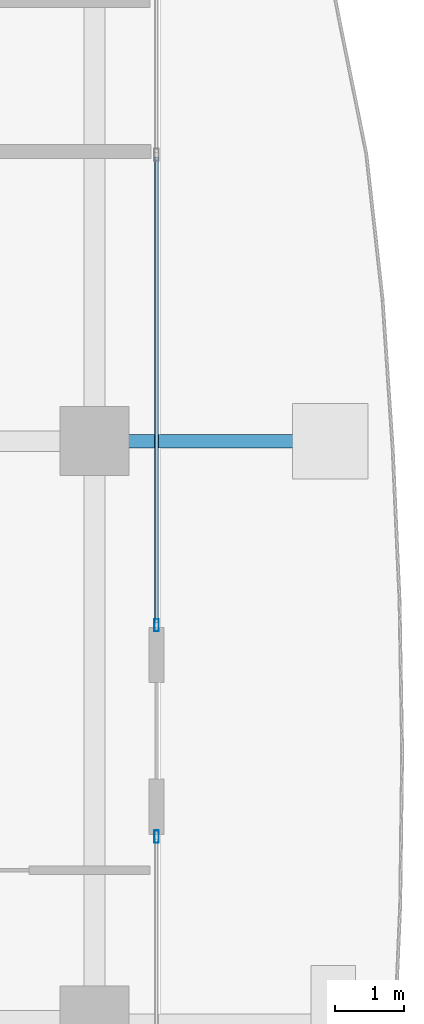
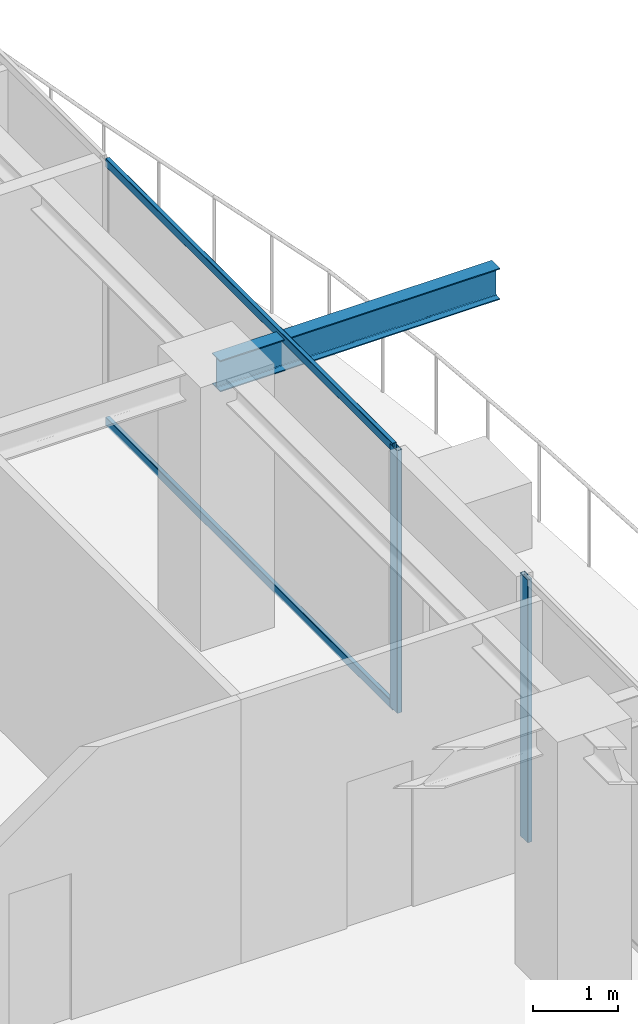
# One storey, part 18 of 42: 4 members, 1 beam, 2 elements without a shape of their own.
"""IFC4 building model written with IfcOpenShell, lengths in metres."""

from ifc_helpers import new_model, si_unit, direction, frame, origin, origin_2d, place, context, subcontext, project, spatial, hollow_rectangle, i_section, extrude, source, transform, mapped, material, layer, layer_set, material_profile, profile_set, type_object, element, aggregate, save


model = new_model("IFC4")

# Units and contexts
model_context = context("Model", 3, precision=1e-05, world=origin(), true_north=direction((0.0, 1.0)))
body_context = subcontext(model_context, "Body", "Model", "MODEL_VIEW")
ifc_project = project(units=[si_unit("LENGTHUNIT", "METRE"), si_unit("AREAUNIT", "SQUARE_METRE"), si_unit("VOLUMEUNIT", "CUBIC_METRE"), si_unit("PLANEANGLEUNIT", "RADIAN"), si_unit("MASSUNIT", "GRAM", prefix="KILO")], contexts=[model_context])

# Site, building, storey
site_placement = place(None, origin())
site = spatial("IfcSite", under=ifc_project, at=site_placement, CompositionType="ELEMENT")
building_placement = place(site_placement, origin())
building = spatial("IfcBuilding", under=site, at=building_placement, Name="Serunith Strait Residences", CompositionType="ELEMENT")
storey_placement = place(building_placement, frame((0.0, 0.0, 297.5)))
storey = spatial("IfcBuildingStorey", under=building, at=storey_placement, Name="L74", CompositionType="ELEMENT", Elevation=297.5)

# Beam
ifc_material_1 = material(Name="Steel S355J2", Category="steel")
ifc_material_profile_1 = material_profile(ifc_material_1, i_section(OverallWidth=0.18994140625, OverallDepth=0.449951171875, WebThickness=0.009521484375, FlangeThickness=0.0146484375, FilletRadius=0.02099609375, at=origin_2d()), Name="IPE 450")
ifc_profile_set_1 = profile_set([ifc_material_profile_1], Name="Steel S355J2")
beam_type = type_object("IfcBeamType", Name="BM-IPE450", PredefinedType="JOIST", material=ifc_profile_set_1)
shared_shape_1 = source(origin(), body_context, "Body", "SweptSolid", [
    extrude(i_section(OverallWidth=0.18994140625, OverallDepth=0.449951171875, WebThickness=0.009521484375, FlangeThickness=0.0146484375, FilletRadius=0.02099609375, at=origin_2d()), origin(), (0.0, 0.0, 1.0), 3.800048828125),
])
beam_placement = place(storey_placement, frame((54.699951171875, 29.39990234375, 3.531982421875), z_axis=(1.0, 0.0, 0.0), x_axis=(0.0, 1.0, 0.0)))
element("IfcBeam", 1, at=beam_placement, inside=storey, type_object=beam_type, Name="L75 Cantilevered Balcony Rib TC-E3", PredefinedType="JOIST", context=body_context, shape_type="MappedRepresentation", body=[
    mapped(shared_shape_1, transform((0.0, 0.0, 0.0), scale=1.0)),
])

# Curtain wall, members
ifc_material_2 = material(Name="Brushed Stainless-Silver Aluminium", Category="aluminium")
ifc_layer = layer(ifc_material_2, 0.199951171875, Name="Brushed Stainless-Silver Aluminium")
ifc_layer_set = layer_set([ifc_layer], Name="Brushed Stainless-Silver Aluminium")
curtain_wall_type = type_object("IfcCurtainWallType", Name="CW-SYS5", PredefinedType="NOTDEFINED", material=ifc_layer_set)
curtain_wall_1_placement = place(storey_placement, origin())
curtain_wall_1 = element("IfcCurtainWall", 2, at=curtain_wall_1_placement, inside=storey, type_object=curtain_wall_type, Name="L74 E Unitised Fritted Curtain Wall", PredefinedType="NOTDEFINED")
ifc_material_profile_2 = material_profile(ifc_material_2, hollow_rectangle(XDim=0.06005859375, YDim=0.1201171875, WallThickness=0.00341796875, InnerFilletRadius=0.00537109375, OuterFilletRadius=0.0087890625, at=origin_2d()), Name="ALU 120x60x3.5")
ifc_profile_set_2 = profile_set([ifc_material_profile_2], Name="Brushed Stainless-Silver Aluminium")
member_type_1 = type_object("IfcMemberType", Name="CW-SYS5-TRAN", PredefinedType="USERDEFINED", material=ifc_profile_set_2)
shared_shape_2 = source(origin(), body_context, "Body", "SweptSolid", [
    extrude(hollow_rectangle(XDim=0.06005859375, YDim=0.1201171875, WallThickness=0.00341796875, InnerFilletRadius=0.00537109375, OuterFilletRadius=0.0087890625, at=origin_2d()), origin(), (0.0, 0.0, 1.0), 6.752685546875),
])
member_1_placement = place(storey_placement, frame((55.60009765625, 26.764892578125, 0.030029296875), z_axis=(0.0, 1.0, 0.0), x_axis=(-1.0, 0.0, 0.0)))
member_1 = element("IfcMember", 3, at=member_1_placement, type_object=member_type_1, Name="CW-5 transom 1.1", ObjectType="TRANSOM", PredefinedType="USERDEFINED", context=body_context, shape_type="MappedRepresentation", body=[
    mapped(shared_shape_2, transform((0.0, 0.0, 0.0), scale=1.0)),
])
member_2_placement = place(storey_placement, frame((55.60009765625, 26.764892578125, 3.7451171875), z_axis=(0.0, 1.0, 0.0), x_axis=(-1.0, 0.0, 0.0)))
member_2 = element("IfcMember", 4, at=member_2_placement, type_object=member_type_1, Name="CW-5 transom 1.2", ObjectType="TRANSOM", PredefinedType="USERDEFINED", context=body_context, shape_type="MappedRepresentation", body=[
    mapped(shared_shape_2, transform((0.0, 0.0, 0.0), scale=1.0)),
])

# Curtain wall, member
curtain_wall_2_placement = place(storey_placement, origin())
curtain_wall_2 = element("IfcCurtainWall", 5, at=curtain_wall_2_placement, inside=storey, type_object=curtain_wall_type, Name="L74 E Unitised Fritted Curtain Wall", PredefinedType="NOTDEFINED")
ifc_material_profile_3 = material_profile(ifc_material_2, hollow_rectangle(XDim=0.06494140625, YDim=0.179931640625, WallThickness=0.00341796875, InnerFilletRadius=0.00537109375, OuterFilletRadius=0.0087890625, at=origin_2d()), Name="ALU 180x65x3.5")
ifc_profile_set_3 = profile_set([ifc_material_profile_3], Name="Brushed Stainless-Silver Aluminium")
member_type_2 = type_object("IfcMemberType", Name="CW-SYS5-MULL", PredefinedType="MULLION", material=ifc_profile_set_3)
shared_shape_3 = source(origin(), body_context, "Body", "SweptSolid", [
    extrude(hollow_rectangle(XDim=0.06494140625, YDim=0.179931640625, WallThickness=0.00341796875, InnerFilletRadius=0.00537109375, OuterFilletRadius=0.0087890625, at=origin_2d()), origin(), (0.0, 0.0, 1.0), 3.77490234375),
])
member_3_placement = place(storey_placement, frame((55.60009765625, 23.66748046875, 0.0), z_axis=(0.0, 0.0, 1.0), x_axis=(-1.0, 0.0, 0.0)))
member_3 = element("IfcMember", 6, at=member_3_placement, type_object=member_type_2, Name="CW-5 mullion 3", PredefinedType="MULLION", context=body_context, shape_type="MappedRepresentation", body=[
    mapped(shared_shape_3, transform((0.0, 0.0, 0.0), scale=1.0)),
])
aggregate(curtain_wall_2, [member_3])

# Member
member_4_placement = place(storey_placement, frame((55.60009765625, 26.732421875, 0.0), z_axis=(0.0, 0.0, 1.0), x_axis=(-1.0, 0.0, 0.0)))
member_4 = element("IfcMember", 7, at=member_4_placement, type_object=member_type_2, Name="CW-5 mullion 1", PredefinedType="MULLION", context=body_context, shape_type="MappedRepresentation", body=[
    mapped(shared_shape_3, transform((0.0, 0.0, 0.0), scale=1.0)),
])

aggregate(curtain_wall_1, [member_4, member_1, member_2])

save(model, "model.ifc")
